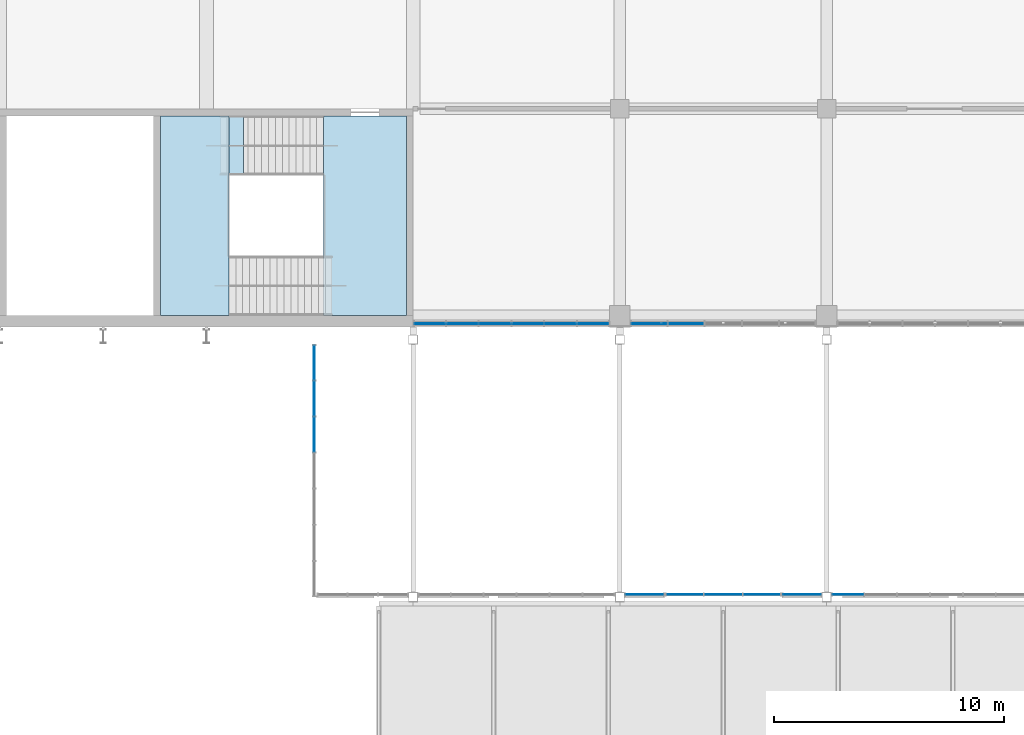
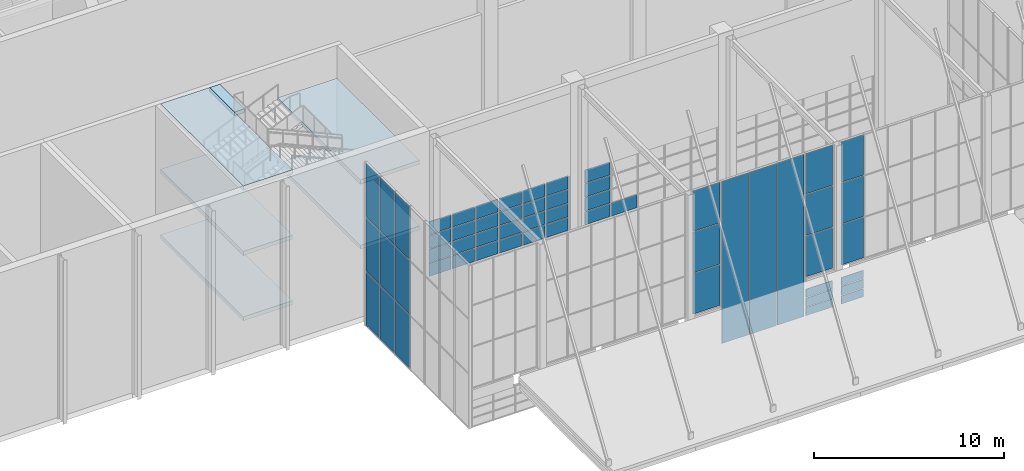
# One storey, part 66 of 182: 56 plates, 6 slabs, 10 elements without a shape of their own.
"""IFC4 building model written with IfcOpenShell, lengths in metres."""

from ifc_helpers import new_model, si_unit, direction, frame, origin, origin_2d, place, context, subcontext, project, spatial, polyline, rectangle, outline, extrude, material, layer, layer_set, type_object, element, aggregate, save


model = new_model("IFC4")

# Units and contexts
model_context = context("Model", 3, precision=1e-05, world=origin(), true_north=direction((0.0, 1.0)))
body_context = subcontext(model_context, "Body", "Model", "MODEL_VIEW")
ifc_project = project(units=[si_unit("LENGTHUNIT", "METRE"), si_unit("AREAUNIT", "SQUARE_METRE"), si_unit("VOLUMEUNIT", "CUBIC_METRE"), si_unit("PLANEANGLEUNIT", "RADIAN"), si_unit("MASSUNIT", "GRAM", prefix="KILO")], contexts=[model_context])

# Site, building, storey
site_placement = place(None, origin())
site = spatial("IfcSite", under=ifc_project, at=site_placement, CompositionType="ELEMENT")
building_placement = place(site_placement, origin())
building = spatial("IfcBuilding", under=site, at=building_placement, Name="Silverbay Arena", CompositionType="ELEMENT")
storey_placement = place(building_placement, frame((0.0, 0.0, 11.5)))
storey = spatial("IfcBuildingStorey", under=building, at=storey_placement, Name="L02", CompositionType="ELEMENT", Elevation=11.5)

# Curtain wall, plates
ifc_material_1 = material(Name="Aluminium framed curtain wall", Category="aluminium")
curtain_wall_type_1 = type_object("IfcCurtainWallType", Name="Curtain wall 1750 x 8000", PredefinedType="NOTDEFINED", material=ifc_material_1)
curtain_wall_1_placement = place(storey_placement, origin())
curtain_wall_1 = element("IfcCurtainWall", 1, at=curtain_wall_1_placement, inside=storey, type_object=curtain_wall_type_1, Name="South entrance hall S1 glazing F1a", PredefinedType="NOTDEFINED")
ifc_material_2 = material(Name="Laminated glass", Category="glass")
ifc_layer_1 = layer(ifc_material_2, 0.028076171875)
ifc_layer_set_1 = layer_set([ifc_layer_1], Name="Laminated glass")
plate_type_1 = type_object("IfcPlateType", Name="Glass panel 28", PredefinedType="CURTAIN_PANEL", material=ifc_layer_set_1)
plate_1_placement = place(storey_placement, frame((127.074951171875, 5.860107421875, 2.55029296875), z_axis=(0.0, 0.0, 1.0), x_axis=(1.0, 0.0, 0.0)))
plate_1 = element("IfcPlate", 2, at=plate_1_placement, type_object=plate_type_1, Name="CW30 panel 1.1", PredefinedType="CURTAIN_PANEL", context=body_context, shape_type="SweptSolid", body=[
    extrude(rectangle(XDim=1.6298828125, YDim=0.028076171875, at=origin_2d()), origin(), (0.0, 0.0, 1.0), 2.591552734375),
])
plate_2_placement = place(storey_placement, frame((127.074951171875, 5.860107421875, 5.191650390625), z_axis=(0.0, 0.0, 1.0), x_axis=(1.0, 0.0, 0.0)))
plate_2 = element("IfcPlate", 3, at=plate_2_placement, type_object=plate_type_1, Name="CW30 panel 1.2", PredefinedType="CURTAIN_PANEL", context=body_context, shape_type="SweptSolid", body=[
    extrude(rectangle(XDim=1.6298828125, YDim=0.028076171875, at=origin_2d()), origin(), (0.0, 0.0, 1.0), 2.61669921875),
])
plate_3_placement = place(storey_placement, frame((127.074951171875, 5.860107421875, 7.8583984375), z_axis=(0.0, 0.0, 1.0), x_axis=(1.0, 0.0, 0.0)))
plate_3 = element("IfcPlate", 4, at=plate_3_placement, type_object=plate_type_1, Name="CW30 panel 1.3", PredefinedType="CURTAIN_PANEL", context=body_context, shape_type="SweptSolid", body=[
    extrude(rectangle(XDim=1.6298828125, YDim=0.028076171875, at=origin_2d()), origin(), (0.0, 0.0, 1.0), 2.591552734375),
])
aggregate(curtain_wall_1, [plate_1, plate_2, plate_3])

ifc_material_3 = material(Name="Aluminium framed curtain wall", Category="aluminium")
curtain_wall_type_2 = type_object("IfcCurtainWallType", Name="Curtain wall 1750 x 1800", PredefinedType="NOTDEFINED", material=ifc_material_3)
curtain_wall_2_placement = place(storey_placement, origin())
curtain_wall_2 = element("IfcCurtainWall", 5, at=curtain_wall_2_placement, inside=storey, type_object=curtain_wall_type_2, Name="South entrance hall S1 glazing F1b", PredefinedType="NOTDEFINED")
plate_4_placement = place(storey_placement, frame((133.925048828125, 5.860107421875, 0.050048828125), z_axis=(0.0, 0.0, 1.0), x_axis=(1.0, 0.0, 0.0)))
plate_4 = element("IfcPlate", 6, at=plate_4_placement, type_object=plate_type_1, Name="CW29 panel 1.1", PredefinedType="CURTAIN_PANEL", context=body_context, shape_type="SweptSolid", body=[
    extrude(rectangle(XDim=1.6298828125, YDim=0.028076171875, at=origin_2d()), origin(), (0.0, 0.0, 1.0), 0.52490234375),
])
plate_5_placement = place(storey_placement, frame((133.925048828125, 5.860107421875, 0.625), z_axis=(0.0, 0.0, 1.0), x_axis=(1.0, 0.0, 0.0)))
plate_5 = element("IfcPlate", 7, at=plate_5_placement, type_object=plate_type_1, Name="CW29 panel 1.2", PredefinedType="CURTAIN_PANEL", context=body_context, shape_type="SweptSolid", body=[
    extrude(rectangle(XDim=1.6298828125, YDim=0.028076171875, at=origin_2d()), origin(), (0.0, 0.0, 1.0), 0.550048828125),
])
plate_6_placement = place(storey_placement, frame((133.925048828125, 5.860107421875, 1.22509765625), z_axis=(0.0, 0.0, 1.0), x_axis=(1.0, 0.0, 0.0)))
plate_6 = element("IfcPlate", 8, at=plate_6_placement, type_object=plate_type_1, Name="CW29 panel 1.3", PredefinedType="CURTAIN_PANEL", context=body_context, shape_type="SweptSolid", body=[
    extrude(rectangle(XDim=1.6298828125, YDim=0.028076171875, at=origin_2d()), origin(), (0.0, 0.0, 1.0), 0.52490234375),
])
aggregate(curtain_wall_2, [plate_4, plate_5, plate_6])

curtain_wall_3_placement = place(storey_placement, origin())
curtain_wall_3 = element("IfcCurtainWall", 9, at=curtain_wall_3_placement, inside=storey, type_object=curtain_wall_type_1, Name="South entrance hall S1 glazing F1b", PredefinedType="NOTDEFINED")
plate_7_placement = place(storey_placement, frame((133.925048828125, 5.860107421875, 2.55029296875), z_axis=(0.0, 0.0, 1.0), x_axis=(1.0, 0.0, 0.0)))
plate_7 = element("IfcPlate", 10, at=plate_7_placement, type_object=plate_type_1, Name="CW30 panel 1.1", PredefinedType="CURTAIN_PANEL", context=body_context, shape_type="SweptSolid", body=[
    extrude(rectangle(XDim=1.6298828125, YDim=0.028076171875, at=origin_2d()), origin(), (0.0, 0.0, 1.0), 2.591552734375),
])
plate_8_placement = place(storey_placement, frame((133.925048828125, 5.860107421875, 5.191650390625), z_axis=(0.0, 0.0, 1.0), x_axis=(1.0, 0.0, 0.0)))
plate_8 = element("IfcPlate", 11, at=plate_8_placement, type_object=plate_type_1, Name="CW30 panel 1.2", PredefinedType="CURTAIN_PANEL", context=body_context, shape_type="SweptSolid", body=[
    extrude(rectangle(XDim=1.6298828125, YDim=0.028076171875, at=origin_2d()), origin(), (0.0, 0.0, 1.0), 2.61669921875),
])
plate_9_placement = place(storey_placement, frame((133.925048828125, 5.860107421875, 7.8583984375), z_axis=(0.0, 0.0, 1.0), x_axis=(1.0, 0.0, 0.0)))
plate_9 = element("IfcPlate", 12, at=plate_9_placement, type_object=plate_type_1, Name="CW30 panel 1.3", PredefinedType="CURTAIN_PANEL", context=body_context, shape_type="SweptSolid", body=[
    extrude(rectangle(XDim=1.6298828125, YDim=0.028076171875, at=origin_2d()), origin(), (0.0, 0.0, 1.0), 2.591552734375),
])
aggregate(curtain_wall_3, [plate_7, plate_8, plate_9])

ifc_material_4 = material(Name="Aluminium framed curtain wall", Category="aluminium")
curtain_wall_type_3 = type_object("IfcCurtainWallType", Name="Curtain wall 8600 x 1800", PredefinedType="NOTDEFINED", material=ifc_material_4)
curtain_wall_4_placement = place(storey_placement, origin())
curtain_wall_4 = element("IfcCurtainWall", 13, at=curtain_wall_4_placement, inside=storey, type_object=curtain_wall_type_3, Name="South entrance hall S1 glazing F2", PredefinedType="NOTDEFINED")
plate_10_placement = place(storey_placement, frame((135.931640625, 5.860107421875, 0.050048828125), z_axis=(0.0, 0.0, 1.0), x_axis=(1.0, 0.0, 0.0)))
plate_10 = element("IfcPlate", 14, at=plate_10_placement, type_object=plate_type_1, Name="CW25 panel 1.1", PredefinedType="CURTAIN_PANEL", context=body_context, shape_type="SweptSolid", body=[
    extrude(rectangle(XDim=1.34326171875, YDim=0.028076171875, at=origin_2d()), origin(), (0.0, 0.0, 1.0), 0.52490234375),
])
plate_11_placement = place(storey_placement, frame((135.931640625, 5.860107421875, 0.625), z_axis=(0.0, 0.0, 1.0), x_axis=(1.0, 0.0, 0.0)))
plate_11 = element("IfcPlate", 15, at=plate_11_placement, type_object=plate_type_1, Name="CW25 panel 1.2", PredefinedType="CURTAIN_PANEL", context=body_context, shape_type="SweptSolid", body=[
    extrude(rectangle(XDim=1.34326171875, YDim=0.028076171875, at=origin_2d()), origin(), (0.0, 0.0, 1.0), 0.550048828125),
])
plate_12_placement = place(storey_placement, frame((135.931640625, 5.860107421875, 1.22509765625), z_axis=(0.0, 0.0, 1.0), x_axis=(1.0, 0.0, 0.0)))
plate_12 = element("IfcPlate", 16, at=plate_12_placement, type_object=plate_type_1, Name="CW25 panel 1.3", PredefinedType="CURTAIN_PANEL", context=body_context, shape_type="SweptSolid", body=[
    extrude(rectangle(XDim=1.34326171875, YDim=0.028076171875, at=origin_2d()), origin(), (0.0, 0.0, 1.0), 0.52490234375),
])
aggregate(curtain_wall_4, [plate_10, plate_11, plate_12])

ifc_material_5 = material(Name="Aluminium framed curtain wall", Category="aluminium")
curtain_wall_type_4 = type_object("IfcCurtainWallType", Name="Curtain wall 8600 x 8000", PredefinedType="NOTDEFINED", material=ifc_material_5)
curtain_wall_5_placement = place(storey_placement, origin())
curtain_wall_5 = element("IfcCurtainWall", 17, at=curtain_wall_5_placement, inside=storey, type_object=curtain_wall_type_4, Name="South entrance hall S1 glazing F2", PredefinedType="NOTDEFINED")
plate_13_placement = place(storey_placement, frame((135.931640625, 5.860107421875, 2.55029296875), z_axis=(0.0, 0.0, 1.0), x_axis=(1.0, 0.0, 0.0)))
plate_13 = element("IfcPlate", 18, at=plate_13_placement, type_object=plate_type_1, Name="CW26 panel 1.1", PredefinedType="CURTAIN_PANEL", context=body_context, shape_type="SweptSolid", body=[
    extrude(rectangle(XDim=1.34326171875, YDim=0.028076171875, at=origin_2d()), origin(), (0.0, 0.0, 1.0), 2.591552734375),
])
plate_14_placement = place(storey_placement, frame((135.931640625, 5.860107421875, 5.191650390625), z_axis=(0.0, 0.0, 1.0), x_axis=(1.0, 0.0, 0.0)))
plate_14 = element("IfcPlate", 19, at=plate_14_placement, type_object=plate_type_1, Name="CW26 panel 1.2", PredefinedType="CURTAIN_PANEL", context=body_context, shape_type="SweptSolid", body=[
    extrude(rectangle(XDim=1.34326171875, YDim=0.028076171875, at=origin_2d()), origin(), (0.0, 0.0, 1.0), 2.61669921875),
])
plate_15_placement = place(storey_placement, frame((135.931640625, 5.860107421875, 7.8583984375), z_axis=(0.0, 0.0, 1.0), x_axis=(1.0, 0.0, 0.0)))
plate_15 = element("IfcPlate", 20, at=plate_15_placement, type_object=plate_type_1, Name="CW26 panel 1.3", PredefinedType="CURTAIN_PANEL", context=body_context, shape_type="SweptSolid", body=[
    extrude(rectangle(XDim=1.34326171875, YDim=0.028076171875, at=origin_2d()), origin(), (0.0, 0.0, 1.0), 2.591552734375),
])
aggregate(curtain_wall_5, [plate_13, plate_14, plate_15])

ifc_material_6 = material(Name="Aluminium framed curtain wall", Category="aluminium")
curtain_wall_type_5 = type_object("IfcCurtainWallType", Name="Curtain wall 11000 x 10500", PredefinedType="NOTDEFINED", material=ifc_material_6)
curtain_wall_6_placement = place(storey_placement, origin())
curtain_wall_6 = element("IfcCurtainWall", 21, at=curtain_wall_6_placement, inside=storey, type_object=curtain_wall_type_5, Name="South entrance hall S1 glazing SA", PredefinedType="NOTDEFINED")
plate_16_placement = place(storey_placement, frame((112.68994140625, 12.821533203125, 0.0498046875), z_axis=(0.0, 0.0, 1.0), x_axis=(0.0, 1.0, 0.0)))
plate_16 = element("IfcPlate", 22, at=plate_16_placement, type_object=plate_type_1, Name="CW37 panel 5.1", PredefinedType="CURTAIN_PANEL", context=body_context, shape_type="SweptSolid", body=[
    extrude(rectangle(XDim=1.511474609375, YDim=0.028076171875, at=origin_2d()), origin(), (0.0, 0.0, 1.0), 3.425048828125),
])
plate_17_placement = place(storey_placement, frame((112.68994140625, 12.821533203125, 3.52490234375), z_axis=(0.0, 0.0, 1.0), x_axis=(0.0, 1.0, 0.0)))
plate_17 = element("IfcPlate", 23, at=plate_17_placement, type_object=plate_type_1, Name="CW37 panel 5.2", PredefinedType="CURTAIN_PANEL", context=body_context, shape_type="SweptSolid", body=[
    extrude(rectangle(XDim=1.511474609375, YDim=0.028076171875, at=origin_2d()), origin(), (0.0, 0.0, 1.0), 3.449951171875),
])
plate_18_placement = place(storey_placement, frame((112.68994140625, 12.821533203125, 7.02490234375), z_axis=(0.0, 0.0, 1.0), x_axis=(0.0, 1.0, 0.0)))
plate_18 = element("IfcPlate", 24, at=plate_18_placement, type_object=plate_type_1, Name="CW37 panel 5.3", PredefinedType="CURTAIN_PANEL", context=body_context, shape_type="SweptSolid", body=[
    extrude(rectangle(XDim=1.511474609375, YDim=0.028076171875, at=origin_2d()), origin(), (0.0, 0.0, 1.0), 3.425048828125),
])
plate_19_placement = place(storey_placement, frame((112.68994140625, 14.392822265625, 0.0498046875), z_axis=(0.0, 0.0, 1.0), x_axis=(0.0, 1.0, 0.0)))
plate_19 = element("IfcPlate", 25, at=plate_19_placement, type_object=plate_type_1, Name="CW37 panel 6.1", PredefinedType="CURTAIN_PANEL", context=body_context, shape_type="SweptSolid", body=[
    extrude(rectangle(XDim=1.511474609375, YDim=0.028076171875, at=origin_2d()), origin(), (0.0, 0.0, 1.0), 3.425048828125),
])
plate_20_placement = place(storey_placement, frame((112.68994140625, 14.392822265625, 3.52490234375), z_axis=(0.0, 0.0, 1.0), x_axis=(0.0, 1.0, 0.0)))
plate_20 = element("IfcPlate", 26, at=plate_20_placement, type_object=plate_type_1, Name="CW37 panel 6.2", PredefinedType="CURTAIN_PANEL", context=body_context, shape_type="SweptSolid", body=[
    extrude(rectangle(XDim=1.511474609375, YDim=0.028076171875, at=origin_2d()), origin(), (0.0, 0.0, 1.0), 3.449951171875),
])
plate_21_placement = place(storey_placement, frame((112.68994140625, 14.392822265625, 7.02490234375), z_axis=(0.0, 0.0, 1.0), x_axis=(0.0, 1.0, 0.0)))
plate_21 = element("IfcPlate", 27, at=plate_21_placement, type_object=plate_type_1, Name="CW37 panel 6.3", PredefinedType="CURTAIN_PANEL", context=body_context, shape_type="SweptSolid", body=[
    extrude(rectangle(XDim=1.511474609375, YDim=0.028076171875, at=origin_2d()), origin(), (0.0, 0.0, 1.0), 3.425048828125),
])
plate_22_placement = place(storey_placement, frame((112.68994140625, 15.94921875, 0.0498046875), z_axis=(0.0, 0.0, 1.0), x_axis=(0.0, 1.0, 0.0)))
plate_22 = element("IfcPlate", 28, at=plate_22_placement, type_object=plate_type_1, Name="CW37 panel 7.1", PredefinedType="CURTAIN_PANEL", context=body_context, shape_type="SweptSolid", body=[
    extrude(rectangle(XDim=1.4814453125, YDim=0.028076171875, at=origin_2d()), origin(), (0.0, 0.0, 1.0), 3.425048828125),
])
plate_23_placement = place(storey_placement, frame((112.68994140625, 15.94921875, 3.52490234375), z_axis=(0.0, 0.0, 1.0), x_axis=(0.0, 1.0, 0.0)))
plate_23 = element("IfcPlate", 29, at=plate_23_placement, type_object=plate_type_1, Name="CW37 panel 7.2", PredefinedType="CURTAIN_PANEL", context=body_context, shape_type="SweptSolid", body=[
    extrude(rectangle(XDim=1.4814453125, YDim=0.028076171875, at=origin_2d()), origin(), (0.0, 0.0, 1.0), 3.449951171875),
])
plate_24_placement = place(storey_placement, frame((112.68994140625, 15.94921875, 7.02490234375), z_axis=(0.0, 0.0, 1.0), x_axis=(0.0, 1.0, 0.0)))
plate_24 = element("IfcPlate", 30, at=plate_24_placement, type_object=plate_type_1, Name="CW37 panel 7.3", PredefinedType="CURTAIN_PANEL", context=body_context, shape_type="SweptSolid", body=[
    extrude(rectangle(XDim=1.4814453125, YDim=0.028076171875, at=origin_2d()), origin(), (0.0, 0.0, 1.0), 3.425048828125),
])
aggregate(curtain_wall_6, [plate_16, plate_17, plate_18, plate_19, plate_20, plate_21, plate_22, plate_23, plate_24])

ifc_material_7 = material(Name="Aluminium framed curtain wall", Category="aluminium")
curtain_wall_type_6 = type_object("IfcCurtainWallType", Name="Curtain wall 5100 x 10500", PredefinedType="NOTDEFINED", material=ifc_material_7)
curtain_wall_7_placement = place(storey_placement, origin())
curtain_wall_7 = element("IfcCurtainWall", 31, at=curtain_wall_7_placement, inside=storey, type_object=curtain_wall_type_6, Name="South entrance hall S1 glazing over the door", PredefinedType="NOTDEFINED")
plate_25_placement = place(storey_placement, frame((128.81494140625, 5.860107421875, 0.050048828125), z_axis=(0.0, 0.0, 1.0), x_axis=(1.0, 0.0, 0.0)))
plate_25 = element("IfcPlate", 32, at=plate_25_placement, type_object=plate_type_1, Name="CW40 panel 1.1", PredefinedType="CURTAIN_PANEL", context=body_context, shape_type="SweptSolid", body=[
    extrude(rectangle(XDim=1.610107421875, YDim=0.028076171875, at=origin_2d()), origin(), (0.0, 0.0, 1.0), 10.39990234375),
])
plate_26_placement = place(storey_placement, frame((130.5, 5.860107421875, 0.050048828125), z_axis=(0.0, 0.0, 1.0), x_axis=(1.0, 0.0, 0.0)))
plate_26 = element("IfcPlate", 33, at=plate_26_placement, type_object=plate_type_1, Name="CW40 panel 2.1", PredefinedType="CURTAIN_PANEL", context=body_context, shape_type="SweptSolid", body=[
    extrude(rectangle(XDim=1.639892578125, YDim=0.028076171875, at=origin_2d()), origin(), (0.0, 0.0, 1.0), 10.39990234375),
])
plate_27_placement = place(storey_placement, frame((132.18505859375, 5.860107421875, 0.050048828125), z_axis=(0.0, 0.0, 1.0), x_axis=(1.0, 0.0, 0.0)))
plate_27 = element("IfcPlate", 34, at=plate_27_placement, type_object=plate_type_1, Name="CW40 panel 3.1", PredefinedType="CURTAIN_PANEL", context=body_context, shape_type="SweptSolid", body=[
    extrude(rectangle(XDim=1.610107421875, YDim=0.028076171875, at=origin_2d()), origin(), (0.0, 0.0, 1.0), 10.39990234375),
])
aggregate(curtain_wall_7, [plate_25, plate_26, plate_27])

ifc_material_8 = material(Name="Aluminium framed curtain wall", Category="aluminium")
curtain_wall_type_7 = type_object("IfcCurtainWallType", Name="Curtain wall 8550 x 3600", PredefinedType="NOTDEFINED", material=ifc_material_8)
curtain_wall_8_placement = place(storey_placement, origin())
curtain_wall_8 = element("IfcCurtainWall", 35, at=curtain_wall_8_placement, inside=storey, type_object=curtain_wall_type_7, Name="South curtain wall L02 bay 8", PredefinedType="NOTDEFINED")
ifc_material_9 = material(Name="Laminated glass", Category="glass")
ifc_layer_2 = layer(ifc_material_9, 0.035888671875)
ifc_layer_set_2 = layer_set([ifc_layer_2], Name="Laminated glass")
plate_type_2 = type_object("IfcPlateType", Name="Glass panel 36", PredefinedType="CURTAIN_PANEL", material=ifc_layer_set_2)
plate_28_placement = place(storey_placement, frame((117.7275390625, 17.64990234375, 1.0498046875), z_axis=(0.0, 0.0, 1.0), x_axis=(1.0, 0.0, 0.0)))
plate_28 = element("IfcPlate", 36, at=plate_28_placement, type_object=plate_type_2, Name="CW10 panel 1.1", PredefinedType="CURTAIN_PANEL", context=body_context, shape_type="SweptSolid", body=[
    extrude(rectangle(XDim=1.3349609375, YDim=0.035888671875, at=origin_2d()), origin(), (0.0, 0.0, 1.0), 0.824951171875),
])
plate_29_placement = place(storey_placement, frame((117.7275390625, 17.64990234375, 1.925048828125), z_axis=(0.0, 0.0, 1.0), x_axis=(1.0, 0.0, 0.0)))
plate_29 = element("IfcPlate", 37, at=plate_29_placement, type_object=plate_type_2, Name="CW10 panel 1.2", PredefinedType="CURTAIN_PANEL", context=body_context, shape_type="SweptSolid", body=[
    extrude(rectangle(XDim=1.3349609375, YDim=0.035888671875, at=origin_2d()), origin(), (0.0, 0.0, 1.0), 0.85009765625),
])
plate_30_placement = place(storey_placement, frame((117.7275390625, 17.64990234375, 2.824951171875), z_axis=(0.0, 0.0, 1.0), x_axis=(1.0, 0.0, 0.0)))
plate_30 = element("IfcPlate", 38, at=plate_30_placement, type_object=plate_type_2, Name="CW10 panel 1.3", PredefinedType="CURTAIN_PANEL", context=body_context, shape_type="SweptSolid", body=[
    extrude(rectangle(XDim=1.3349609375, YDim=0.035888671875, at=origin_2d()), origin(), (0.0, 0.0, 1.0), 0.85009765625),
])
plate_31_placement = place(storey_placement, frame((117.7275390625, 17.64990234375, 3.72509765625), z_axis=(0.0, 0.0, 1.0), x_axis=(1.0, 0.0, 0.0)))
plate_31 = element("IfcPlate", 39, at=plate_31_placement, type_object=plate_type_2, Name="CW10 panel 1.4", PredefinedType="CURTAIN_PANEL", context=body_context, shape_type="SweptSolid", body=[
    extrude(rectangle(XDim=1.3349609375, YDim=0.035888671875, at=origin_2d()), origin(), (0.0, 0.0, 1.0), 0.824951171875),
])
plate_32_placement = place(storey_placement, frame((119.137451171875, 17.64990234375, 1.0498046875), z_axis=(0.0, 0.0, 1.0), x_axis=(1.0, 0.0, 0.0)))
plate_32 = element("IfcPlate", 40, at=plate_32_placement, type_object=plate_type_2, Name="CW10 panel 2.1", PredefinedType="CURTAIN_PANEL", context=body_context, shape_type="SweptSolid", body=[
    extrude(rectangle(XDim=1.364990234375, YDim=0.035888671875, at=origin_2d()), origin(), (0.0, 0.0, 1.0), 0.824951171875),
])
plate_33_placement = place(storey_placement, frame((119.137451171875, 17.64990234375, 1.925048828125), z_axis=(0.0, 0.0, 1.0), x_axis=(1.0, 0.0, 0.0)))
plate_33 = element("IfcPlate", 41, at=plate_33_placement, type_object=plate_type_2, Name="CW10 panel 2.2", PredefinedType="CURTAIN_PANEL", context=body_context, shape_type="SweptSolid", body=[
    extrude(rectangle(XDim=1.364990234375, YDim=0.035888671875, at=origin_2d()), origin(), (0.0, 0.0, 1.0), 0.85009765625),
])
plate_34_placement = place(storey_placement, frame((119.137451171875, 17.64990234375, 2.824951171875), z_axis=(0.0, 0.0, 1.0), x_axis=(1.0, 0.0, 0.0)))
plate_34 = element("IfcPlate", 42, at=plate_34_placement, type_object=plate_type_2, Name="CW10 panel 2.3", PredefinedType="CURTAIN_PANEL", context=body_context, shape_type="SweptSolid", body=[
    extrude(rectangle(XDim=1.364990234375, YDim=0.035888671875, at=origin_2d()), origin(), (0.0, 0.0, 1.0), 0.85009765625),
])
plate_35_placement = place(storey_placement, frame((119.137451171875, 17.64990234375, 3.72509765625), z_axis=(0.0, 0.0, 1.0), x_axis=(1.0, 0.0, 0.0)))
plate_35 = element("IfcPlate", 43, at=plate_35_placement, type_object=plate_type_2, Name="CW10 panel 2.4", PredefinedType="CURTAIN_PANEL", context=body_context, shape_type="SweptSolid", body=[
    extrude(rectangle(XDim=1.364990234375, YDim=0.035888671875, at=origin_2d()), origin(), (0.0, 0.0, 1.0), 0.824951171875),
])
plate_36_placement = place(storey_placement, frame((120.5625, 17.64990234375, 1.0498046875), z_axis=(0.0, 0.0, 1.0), x_axis=(1.0, 0.0, 0.0)))
plate_36 = element("IfcPlate", 44, at=plate_36_placement, type_object=plate_type_2, Name="CW10 panel 3.1", PredefinedType="CURTAIN_PANEL", context=body_context, shape_type="SweptSolid", body=[
    extrude(rectangle(XDim=1.364990234375, YDim=0.035888671875, at=origin_2d()), origin(), (0.0, 0.0, 1.0), 0.824951171875),
])
plate_37_placement = place(storey_placement, frame((120.5625, 17.64990234375, 1.925048828125), z_axis=(0.0, 0.0, 1.0), x_axis=(1.0, 0.0, 0.0)))
plate_37 = element("IfcPlate", 45, at=plate_37_placement, type_object=plate_type_2, Name="CW10 panel 3.2", PredefinedType="CURTAIN_PANEL", context=body_context, shape_type="SweptSolid", body=[
    extrude(rectangle(XDim=1.364990234375, YDim=0.035888671875, at=origin_2d()), origin(), (0.0, 0.0, 1.0), 0.85009765625),
])
plate_38_placement = place(storey_placement, frame((120.5625, 17.64990234375, 2.824951171875), z_axis=(0.0, 0.0, 1.0), x_axis=(1.0, 0.0, 0.0)))
plate_38 = element("IfcPlate", 46, at=plate_38_placement, type_object=plate_type_2, Name="CW10 panel 3.3", PredefinedType="CURTAIN_PANEL", context=body_context, shape_type="SweptSolid", body=[
    extrude(rectangle(XDim=1.364990234375, YDim=0.035888671875, at=origin_2d()), origin(), (0.0, 0.0, 1.0), 0.85009765625),
])
plate_39_placement = place(storey_placement, frame((120.5625, 17.64990234375, 3.72509765625), z_axis=(0.0, 0.0, 1.0), x_axis=(1.0, 0.0, 0.0)))
plate_39 = element("IfcPlate", 47, at=plate_39_placement, type_object=plate_type_2, Name="CW10 panel 3.4", PredefinedType="CURTAIN_PANEL", context=body_context, shape_type="SweptSolid", body=[
    extrude(rectangle(XDim=1.364990234375, YDim=0.035888671875, at=origin_2d()), origin(), (0.0, 0.0, 1.0), 0.824951171875),
])
plate_40_placement = place(storey_placement, frame((121.987548828125, 17.64990234375, 1.0498046875), z_axis=(0.0, 0.0, 1.0), x_axis=(1.0, 0.0, 0.0)))
plate_40 = element("IfcPlate", 48, at=plate_40_placement, type_object=plate_type_2, Name="CW10 panel 4.1", PredefinedType="CURTAIN_PANEL", context=body_context, shape_type="SweptSolid", body=[
    extrude(rectangle(XDim=1.364990234375, YDim=0.035888671875, at=origin_2d()), origin(), (0.0, 0.0, 1.0), 0.824951171875),
])
plate_41_placement = place(storey_placement, frame((121.987548828125, 17.64990234375, 1.925048828125), z_axis=(0.0, 0.0, 1.0), x_axis=(1.0, 0.0, 0.0)))
plate_41 = element("IfcPlate", 49, at=plate_41_placement, type_object=plate_type_2, Name="CW10 panel 4.2", PredefinedType="CURTAIN_PANEL", context=body_context, shape_type="SweptSolid", body=[
    extrude(rectangle(XDim=1.364990234375, YDim=0.035888671875, at=origin_2d()), origin(), (0.0, 0.0, 1.0), 0.85009765625),
])
plate_42_placement = place(storey_placement, frame((121.987548828125, 17.64990234375, 2.824951171875), z_axis=(0.0, 0.0, 1.0), x_axis=(1.0, 0.0, 0.0)))
plate_42 = element("IfcPlate", 50, at=plate_42_placement, type_object=plate_type_2, Name="CW10 panel 4.3", PredefinedType="CURTAIN_PANEL", context=body_context, shape_type="SweptSolid", body=[
    extrude(rectangle(XDim=1.364990234375, YDim=0.035888671875, at=origin_2d()), origin(), (0.0, 0.0, 1.0), 0.85009765625),
])
plate_43_placement = place(storey_placement, frame((121.987548828125, 17.64990234375, 3.72509765625), z_axis=(0.0, 0.0, 1.0), x_axis=(1.0, 0.0, 0.0)))
plate_43 = element("IfcPlate", 51, at=plate_43_placement, type_object=plate_type_2, Name="CW10 panel 4.4", PredefinedType="CURTAIN_PANEL", context=body_context, shape_type="SweptSolid", body=[
    extrude(rectangle(XDim=1.364990234375, YDim=0.035888671875, at=origin_2d()), origin(), (0.0, 0.0, 1.0), 0.824951171875),
])
plate_44_placement = place(storey_placement, frame((123.41259765625, 17.64990234375, 1.0498046875), z_axis=(0.0, 0.0, 1.0), x_axis=(1.0, 0.0, 0.0)))
plate_44 = element("IfcPlate", 52, at=plate_44_placement, type_object=plate_type_2, Name="CW10 panel 5.1", PredefinedType="CURTAIN_PANEL", context=body_context, shape_type="SweptSolid", body=[
    extrude(rectangle(XDim=1.364990234375, YDim=0.035888671875, at=origin_2d()), origin(), (0.0, 0.0, 1.0), 0.824951171875),
])
plate_45_placement = place(storey_placement, frame((123.41259765625, 17.64990234375, 1.925048828125), z_axis=(0.0, 0.0, 1.0), x_axis=(1.0, 0.0, 0.0)))
plate_45 = element("IfcPlate", 53, at=plate_45_placement, type_object=plate_type_2, Name="CW10 panel 5.2", PredefinedType="CURTAIN_PANEL", context=body_context, shape_type="SweptSolid", body=[
    extrude(rectangle(XDim=1.364990234375, YDim=0.035888671875, at=origin_2d()), origin(), (0.0, 0.0, 1.0), 0.85009765625),
])
plate_46_placement = place(storey_placement, frame((123.41259765625, 17.64990234375, 2.824951171875), z_axis=(0.0, 0.0, 1.0), x_axis=(1.0, 0.0, 0.0)))
plate_46 = element("IfcPlate", 54, at=plate_46_placement, type_object=plate_type_2, Name="CW10 panel 5.3", PredefinedType="CURTAIN_PANEL", context=body_context, shape_type="SweptSolid", body=[
    extrude(rectangle(XDim=1.364990234375, YDim=0.035888671875, at=origin_2d()), origin(), (0.0, 0.0, 1.0), 0.85009765625),
])
plate_47_placement = place(storey_placement, frame((123.41259765625, 17.64990234375, 3.72509765625), z_axis=(0.0, 0.0, 1.0), x_axis=(1.0, 0.0, 0.0)))
plate_47 = element("IfcPlate", 55, at=plate_47_placement, type_object=plate_type_2, Name="CW10 panel 5.4", PredefinedType="CURTAIN_PANEL", context=body_context, shape_type="SweptSolid", body=[
    extrude(rectangle(XDim=1.364990234375, YDim=0.035888671875, at=origin_2d()), origin(), (0.0, 0.0, 1.0), 0.824951171875),
])
plate_48_placement = place(storey_placement, frame((124.822509765625, 17.64990234375, 1.0498046875), z_axis=(0.0, 0.0, 1.0), x_axis=(1.0, 0.0, 0.0)))
plate_48 = element("IfcPlate", 56, at=plate_48_placement, type_object=plate_type_2, Name="CW10 panel 6.1", PredefinedType="CURTAIN_PANEL", context=body_context, shape_type="SweptSolid", body=[
    extrude(rectangle(XDim=1.3349609375, YDim=0.035888671875, at=origin_2d()), origin(), (0.0, 0.0, 1.0), 0.824951171875),
])
plate_49_placement = place(storey_placement, frame((124.822509765625, 17.64990234375, 1.925048828125), z_axis=(0.0, 0.0, 1.0), x_axis=(1.0, 0.0, 0.0)))
plate_49 = element("IfcPlate", 57, at=plate_49_placement, type_object=plate_type_2, Name="CW10 panel 6.2", PredefinedType="CURTAIN_PANEL", context=body_context, shape_type="SweptSolid", body=[
    extrude(rectangle(XDim=1.3349609375, YDim=0.035888671875, at=origin_2d()), origin(), (0.0, 0.0, 1.0), 0.85009765625),
])
plate_50_placement = place(storey_placement, frame((124.822509765625, 17.64990234375, 2.824951171875), z_axis=(0.0, 0.0, 1.0), x_axis=(1.0, 0.0, 0.0)))
plate_50 = element("IfcPlate", 58, at=plate_50_placement, type_object=plate_type_2, Name="CW10 panel 6.3", PredefinedType="CURTAIN_PANEL", context=body_context, shape_type="SweptSolid", body=[
    extrude(rectangle(XDim=1.3349609375, YDim=0.035888671875, at=origin_2d()), origin(), (0.0, 0.0, 1.0), 0.85009765625),
])
plate_51_placement = place(storey_placement, frame((124.822509765625, 17.64990234375, 3.72509765625), z_axis=(0.0, 0.0, 1.0), x_axis=(1.0, 0.0, 0.0)))
plate_51 = element("IfcPlate", 59, at=plate_51_placement, type_object=plate_type_2, Name="CW10 panel 6.4", PredefinedType="CURTAIN_PANEL", context=body_context, shape_type="SweptSolid", body=[
    extrude(rectangle(XDim=1.3349609375, YDim=0.035888671875, at=origin_2d()), origin(), (0.0, 0.0, 1.0), 0.824951171875),
])
aggregate(curtain_wall_8, [plate_28, plate_29, plate_30, plate_31, plate_32, plate_33, plate_34, plate_35, plate_36, plate_37, plate_38, plate_39, plate_40, plate_41, plate_42, plate_43, plate_44, plate_45, plate_46, plate_47, plate_48, plate_49, plate_50, plate_51])

ifc_material_10 = material(Name="Aluminium framed curtain wall", Category="aluminium")
curtain_wall_type_8 = type_object("IfcCurtainWallType", Name="Curtain wall 8100 x 3600", PredefinedType="NOTDEFINED", material=ifc_material_10)
curtain_wall_9_placement = place(storey_placement, origin())
curtain_wall_9 = element("IfcCurtainWall", 60, at=curtain_wall_9_placement, inside=storey, type_object=curtain_wall_type_8, Name="South curtain wall L02 bay 9", PredefinedType="NOTDEFINED")
plate_52_placement = place(storey_placement, frame((127.27490234375, 17.64990234375, 1.0498046875), z_axis=(0.0, 0.0, 1.0), x_axis=(1.0, 0.0, 0.0)))
plate_52 = element("IfcPlate", 61, at=plate_52_placement, type_object=plate_type_2, Name="CW11 panel 1.1", PredefinedType="CURTAIN_PANEL", context=body_context, shape_type="SweptSolid", body=[
    extrude(rectangle(XDim=1.530029296875, YDim=0.035888671875, at=origin_2d()), origin(), (0.0, 0.0, 1.0), 0.824951171875),
])
plate_53_placement = place(storey_placement, frame((127.27490234375, 17.64990234375, 1.925048828125), z_axis=(0.0, 0.0, 1.0), x_axis=(1.0, 0.0, 0.0)))
plate_53 = element("IfcPlate", 62, at=plate_53_placement, type_object=plate_type_2, Name="CW11 panel 1.2", PredefinedType="CURTAIN_PANEL", context=body_context, shape_type="SweptSolid", body=[
    extrude(rectangle(XDim=1.530029296875, YDim=0.035888671875, at=origin_2d()), origin(), (0.0, 0.0, 1.0), 0.85009765625),
])
plate_54_placement = place(storey_placement, frame((127.27490234375, 17.64990234375, 2.824951171875), z_axis=(0.0, 0.0, 1.0), x_axis=(1.0, 0.0, 0.0)))
plate_54 = element("IfcPlate", 63, at=plate_54_placement, type_object=plate_type_2, Name="CW11 panel 1.3", PredefinedType="CURTAIN_PANEL", context=body_context, shape_type="SweptSolid", body=[
    extrude(rectangle(XDim=1.530029296875, YDim=0.035888671875, at=origin_2d()), origin(), (0.0, 0.0, 1.0), 0.85009765625),
])
plate_55_placement = place(storey_placement, frame((127.27490234375, 17.64990234375, 3.72509765625), z_axis=(0.0, 0.0, 1.0), x_axis=(1.0, 0.0, 0.0)))
plate_55 = element("IfcPlate", 64, at=plate_55_placement, type_object=plate_type_2, Name="CW11 panel 1.4", PredefinedType="CURTAIN_PANEL", context=body_context, shape_type="SweptSolid", body=[
    extrude(rectangle(XDim=1.530029296875, YDim=0.035888671875, at=origin_2d()), origin(), (0.0, 0.0, 1.0), 0.824951171875),
])
plate_56_placement = place(storey_placement, frame((128.8798828125, 17.64990234375, 1.0498046875), z_axis=(0.0, 0.0, 1.0), x_axis=(1.0, 0.0, 0.0)))
plate_56 = element("IfcPlate", 65, at=plate_56_placement, type_object=plate_type_2, Name="CW11 panel 2.1", PredefinedType="CURTAIN_PANEL", context=body_context, shape_type="SweptSolid", body=[
    extrude(rectangle(XDim=1.56005859375, YDim=0.035888671875, at=origin_2d()), origin(), (0.0, 0.0, 1.0), 0.824951171875),
])
aggregate(curtain_wall_9, [plate_52, plate_53, plate_54, plate_55, plate_56])

# Stair, slabs
ifc_material_11 = material(Name="Concrete Grade C45", Category="concrete")
stair_type = type_object("IfcStairType", Name="Stair 2600 wide 80 risers 131.2 x 300", PredefinedType="HALF_TURN_STAIR", material=ifc_material_11)
stair_placement = place(storey_placement, origin())
stair = element("IfcStair", 66, at=stair_placement, inside=storey, type_object=stair_type, Name="Stair ST-S2 L02 to L03", PredefinedType="HALF_TURN_STAIR")
ifc_material_12 = material(Name="Concrete Grade C45", Category="concrete")
ifc_layer_3 = layer(ifc_material_12, 0.25)
ifc_layer_set_3 = layer_set([ifc_layer_3], Name="Concrete Grade C45")
slab_type_1 = type_object("IfcSlabType", Name="Stair arrival platform RC 250", PredefinedType="FLOOR", material=ifc_layer_set_3)
slab_1_placement = place(storey_placement, frame((0.0, 0.0, 10.25)))
slab_1 = element("IfcSlab", 67, at=slab_1_placement, type_object=slab_type_1, Name="Stair ST-S2 L02 to L03 arrival platform 6", PredefinedType="FLOOR", context=body_context, shape_type="SweptSolid", body=[
    extrude(outline(polyline([(109.60009765625, 26.699951171875), (108.97412109375, 26.699951171875), (108.97412109375, 24.10009765625), (109.60009765625, 24.10009765625), (109.60009765625, 26.699951171875)])), origin(), (0.0, 0.0, 1.0), 0.25),
])
ifc_material_13 = material(Name="Concrete Grade C45", Category="concrete")
ifc_layer_4 = layer(ifc_material_13, 0.25)
ifc_layer_set_4 = layer_set([ifc_layer_4], Name="Concrete Grade C45")
slab_type_2 = type_object("IfcSlabType", Name="Stair landing RC 250", PredefinedType="LANDING", material=ifc_layer_set_4)
slab_2_placement = place(storey_placement, frame((0.0, 0.0, 1.85009765625)))
slab_2 = element("IfcSlab", 68, at=slab_2_placement, type_object=slab_type_2, Name="Stair ST-S2 L02 to L03 landing 1", PredefinedType="LANDING", context=body_context, shape_type="SweptSolid", body=[
    extrude(outline(polyline([(108.97412109375, 26.699951171875), (106.0, 26.699951171875), (106.0, 18.0), (108.97412109375, 18.0), (108.97412109375, 26.699951171875)])), origin(), (0.0, 0.0, 1.0), 0.25),
])
slab_3_placement = place(storey_placement, frame((0.0, 0.0, 3.949951171875)))
slab_3 = element("IfcSlab", 69, at=slab_3_placement, type_object=slab_type_2, Name="Stair ST-S2 L02 to L03 landing 2", PredefinedType="LANDING", context=body_context, shape_type="SweptSolid", body=[
    extrude(outline(polyline([(116.699951171875, 26.699951171875), (113.10009765625, 26.699951171875), (113.10009765625, 18.0), (116.699951171875, 18.0), (116.699951171875, 26.699951171875)])), origin(), (0.0, 0.0, 1.0), 0.25),
])
slab_4_placement = place(storey_placement, frame((0.0, 0.0, 6.050048828125)))
slab_4 = element("IfcSlab", 70, at=slab_4_placement, type_object=slab_type_2, Name="Stair ST-S2 L02 to L03 landing 3", PredefinedType="LANDING", context=body_context, shape_type="SweptSolid", body=[
    extrude(outline(polyline([(108.97412109375, 26.699951171875), (106.0, 26.699951171875), (106.0, 18.0), (108.97412109375, 18.0), (108.97412109375, 26.699951171875)])), origin(), (0.0, 0.0, 1.0), 0.25),
])
slab_5_placement = place(storey_placement, frame((0.0, 0.0, 8.14990234375)))
slab_5 = element("IfcSlab", 71, at=slab_5_placement, type_object=slab_type_2, Name="Stair ST-S2 L02 to L03 landing 4", PredefinedType="LANDING", context=body_context, shape_type="SweptSolid", body=[
    extrude(outline(polyline([(116.699951171875, 26.699951171875), (113.10009765625, 26.699951171875), (113.10009765625, 18.0), (116.699951171875, 18.0), (116.699951171875, 26.699951171875)])), origin(), (0.0, 0.0, 1.0), 0.25),
])
slab_6_placement = place(storey_placement, frame((0.0, 0.0, 10.25)))
slab_6 = element("IfcSlab", 72, at=slab_6_placement, type_object=slab_type_2, Name="Stair ST-S2 L02 to L03 landing 5", PredefinedType="LANDING", context=body_context, shape_type="SweptSolid", body=[
    extrude(outline(polyline([(108.97412109375, 26.699951171875), (106.0, 26.699951171875), (106.0, 18.0), (108.97412109375, 18.0), (108.97412109375, 26.699951171875)])), origin(), (0.0, 0.0, 1.0), 0.25),
])
aggregate(stair, [slab_2, slab_3, slab_4, slab_5, slab_6, slab_1])

save(model, "model.ifc")
